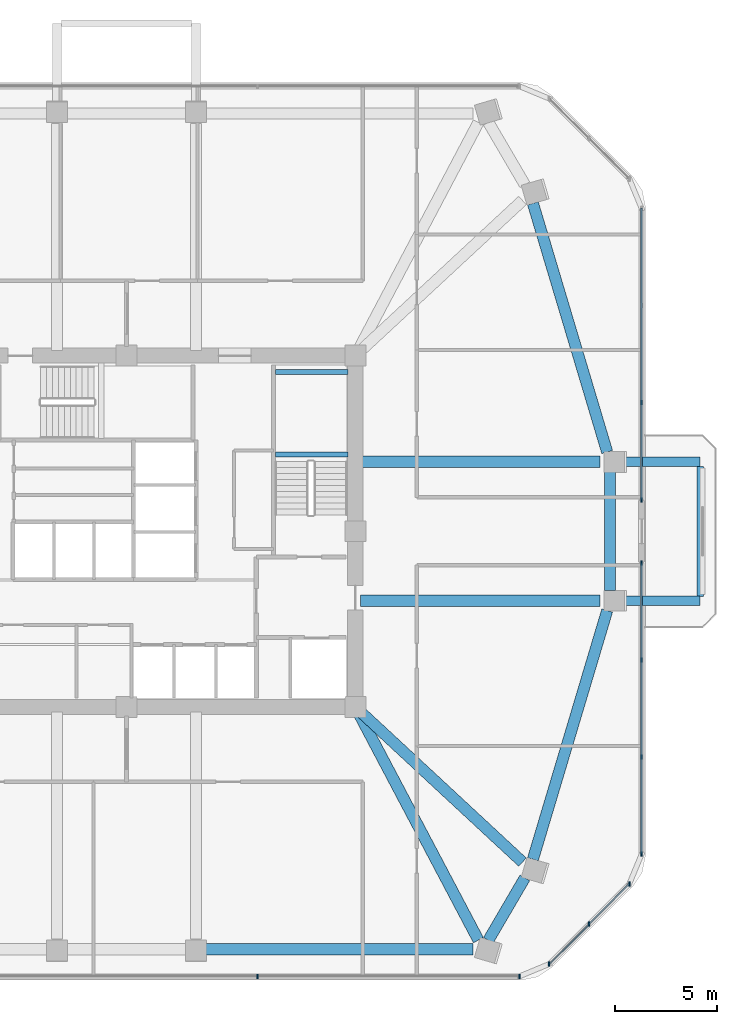
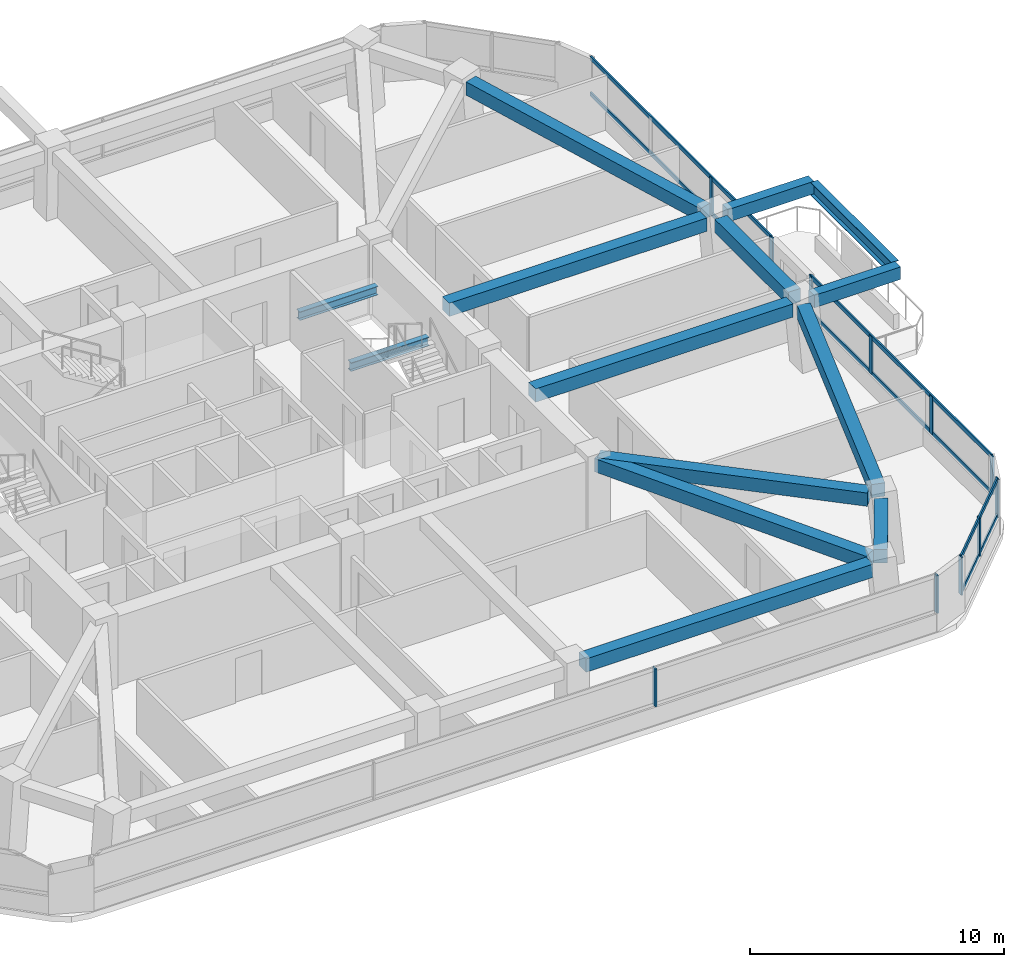
# One storey, part 5 of 14: 17 members, 14 beams, 4 elements without a shape of their own.
"""IFC4 building model written with IfcOpenShell, lengths in metres."""

from ifc_helpers import new_model, si_unit, derived_unit, direction, frame, origin, origin_2d, place, context, subcontext, project, spatial, rectangle, i_section, extrude, material, material_profile, profile_set, type_object, element, aggregate, save


model = new_model("IFC4")

# Units and contexts
model_context = context("Model", 3, precision=1e-05, world=origin(), true_north=direction((0.0, 1.0)))
body_context = subcontext(model_context, "Body", "Model", "MODEL_VIEW")
ifc_project = project(units=[si_unit("LENGTHUNIT", "METRE"), si_unit("AREAUNIT", "SQUARE_METRE"), si_unit("VOLUMEUNIT", "CUBIC_METRE"), si_unit("PLANEANGLEUNIT", "RADIAN"), si_unit("MASSUNIT", "GRAM", prefix="KILO"), derived_unit("THERMALTRANSMITTANCEUNIT", [(si_unit("POWERUNIT", "WATT"), 1), (si_unit("LENGTHUNIT", "METRE"), -2), (si_unit("THERMODYNAMICTEMPERATUREUNIT", "KELVIN"), -1)])], contexts=[model_context])

# Site, building, storey
site_placement = place(None, origin())
site = spatial("IfcSite", under=ifc_project, at=site_placement, CompositionType="ELEMENT")
building_placement = place(site_placement, origin())
building = spatial("IfcBuilding", under=site, at=building_placement, Name="Koralith Skygarden Medical Center", CompositionType="ELEMENT")
storey_placement = place(building_placement, frame((0.0, 0.0, 106.3798828125)))
storey = spatial("IfcBuildingStorey", under=building, at=storey_placement, Name="L27", CompositionType="ELEMENT", Elevation=106.3798828125)

# Curtain wall, members
ifc_material_1 = material(Name="Clear Laminated Glass", Category="glass")
curtain_wall_type = type_object("IfcCurtainWallType", Name="CW-3 Zone 2 Faceted Solar Curtain Wall", PredefinedType="NOTDEFINED", material=ifc_material_1)
curtain_wall_1_placement = place(storey_placement, origin())
curtain_wall_1 = element("IfcCurtainWall", 1, at=curtain_wall_1_placement, inside=storey, type_object=curtain_wall_type, Name="Curtain Wall CW-L27-S", PredefinedType="NOTDEFINED")
ifc_material_2 = material(Name="Aluminium 6063-T6", Category="aluminium")
ifc_material_profile_1 = material_profile(ifc_material_2, rectangle(XDim=0.073974609375, YDim=0.219970703125, at=origin_2d()), Name="MUL74X220")
ifc_profile_set_1 = profile_set([ifc_material_profile_1], Name="Aluminium 6063-T6")
member_type_1 = type_object("IfcMemberType", Name="CW-3 Extruded Mullion 74x220", PredefinedType="MULLION", material=ifc_profile_set_1)
member_1_placement = place(storey_placement, frame((43.410888671875, 4.1220703125, 0.85009765625), z_axis=(0.0, 0.0, 1.0), x_axis=(1.0, 0.0, 0.0)))
member_1 = element("IfcMember", 2, at=member_1_placement, type_object=member_type_1, Name="CW-L27-S Mullion 3", PredefinedType="MULLION", context=body_context, shape_type="SweptSolid", body=[
    extrude(rectangle(XDim=0.073974609375, YDim=0.219970703125, at=origin_2d()), origin(), (0.0, 0.0, 1.0), 1.820068359375),
])
member_2_placement = place(storey_placement, frame((56.23291015625, 4.1220703125, 0.85009765625), z_axis=(0.0, 0.0, 1.0), x_axis=(1.0, 0.0, 0.0)))
member_2 = element("IfcMember", 3, at=member_2_placement, type_object=member_type_1, Name="CW-L27-S Mullion 4", PredefinedType="MULLION", context=body_context, shape_type="SweptSolid", body=[
    extrude(rectangle(XDim=0.073974609375, YDim=0.219970703125, at=origin_2d()), origin(), (0.0, 0.0, 1.0), 1.820068359375),
])
aggregate(curtain_wall_1, [member_1, member_2])

curtain_wall_2_placement = place(storey_placement, origin())
curtain_wall_2 = element("IfcCurtainWall", 4, at=curtain_wall_2_placement, inside=storey, type_object=curtain_wall_type, Name="Curtain Wall CW-L27-SE", PredefinedType="NOTDEFINED")
member_3_placement = place(storey_placement, frame((57.68408203125, 4.72412109375, 0.85009765625), z_axis=(0.0, 0.0, 1.0), x_axis=(1.0, 0.0, 0.0)))
member_3 = element("IfcMember", 5, at=member_3_placement, type_object=member_type_1, Name="CW-L27-SE Mullion 1", PredefinedType="MULLION", context=body_context, shape_type="SweptSolid", body=[
    extrude(rectangle(XDim=0.073974609375, YDim=0.219970703125, at=origin_2d()), origin(), (0.0, 0.0, 1.0), 1.820068359375),
])
member_4_placement = place(storey_placement, frame((59.64501953125, 6.68603515625, 0.85009765625), z_axis=(0.0, 0.0, 1.0), x_axis=(1.0, 0.0, 0.0)))
member_4 = element("IfcMember", 6, at=member_4_placement, type_object=member_type_1, Name="CW-L27-SE Mullion 2", PredefinedType="MULLION", context=body_context, shape_type="SweptSolid", body=[
    extrude(rectangle(XDim=0.073974609375, YDim=0.219970703125, at=origin_2d()), origin(), (0.0, 0.0, 1.0), 1.820068359375),
])
member_5_placement = place(storey_placement, frame((61.60693359375, 8.64697265625, 0.85009765625), z_axis=(0.0, 0.0, 1.0), x_axis=(1.0, 0.0, 0.0)))
member_5 = element("IfcMember", 7, at=member_5_placement, type_object=member_type_1, Name="CW-L27-SE Mullion 3", PredefinedType="MULLION", context=body_context, shape_type="SweptSolid", body=[
    extrude(rectangle(XDim=0.073974609375, YDim=0.219970703125, at=origin_2d()), origin(), (0.0, 0.0, 1.0), 1.820068359375),
])

curtain_wall_3_placement = place(storey_placement, origin())
curtain_wall_3 = element("IfcCurtainWall", 8, at=curtain_wall_3_placement, inside=storey, type_object=curtain_wall_type, Name="Curtain Wall CW-L27-E-L", PredefinedType="NOTDEFINED")
member_6_placement = place(storey_placement, frame((62.208984375, 10.097900390625, 0.85009765625), z_axis=(0.0, 0.0, 1.0), x_axis=(1.0, 0.0, 0.0)))
member_6 = element("IfcMember", 9, at=member_6_placement, type_object=member_type_1, Name="CW-L27-E-L Mullion 1", PredefinedType="MULLION", context=body_context, shape_type="SweptSolid", body=[
    extrude(rectangle(XDim=0.073974609375, YDim=0.219970703125, at=origin_2d()), origin(), (0.0, 0.0, 1.0), 1.820068359375),
])
member_7_placement = place(storey_placement, frame((62.208984375, 14.85205078125, 0.85009765625), z_axis=(0.0, 0.0, 1.0), x_axis=(1.0, 0.0, 0.0)))
member_7 = element("IfcMember", 10, at=member_7_placement, type_object=member_type_1, Name="CW-L27-E-L Mullion 2", PredefinedType="MULLION", context=body_context, shape_type="SweptSolid", body=[
    extrude(rectangle(XDim=0.073974609375, YDim=0.219970703125, at=origin_2d()), origin(), (0.0, 0.0, 1.0), 1.820068359375),
])
member_8_placement = place(storey_placement, frame((62.208984375, 19.60595703125, 0.85009765625), z_axis=(0.0, 0.0, 1.0), x_axis=(1.0, 0.0, 0.0)))
member_8 = element("IfcMember", 11, at=member_8_placement, type_object=member_type_1, Name="CW-L27-E-L Mullion 3", PredefinedType="MULLION", context=body_context, shape_type="SweptSolid", body=[
    extrude(rectangle(XDim=0.073974609375, YDim=0.219970703125, at=origin_2d()), origin(), (0.0, 0.0, 1.0), 1.820068359375),
])
member_9_placement = place(storey_placement, frame((62.208984375, 24.360107421875, 0.85009765625), z_axis=(0.0, 0.0, 1.0), x_axis=(1.0, 0.0, 0.0)))
member_9 = element("IfcMember", 12, at=member_9_placement, type_object=member_type_1, Name="CW-L27-E-L Mullion 4", PredefinedType="MULLION", context=body_context, shape_type="SweptSolid", body=[
    extrude(rectangle(XDim=0.073974609375, YDim=0.219970703125, at=origin_2d()), origin(), (0.0, 0.0, 1.0), 1.820068359375),
])

curtain_wall_4_placement = place(storey_placement, origin())
curtain_wall_4 = element("IfcCurtainWall", 13, at=curtain_wall_4_placement, inside=storey, type_object=curtain_wall_type, Name="Curtain Wall CW-L27-E-R", PredefinedType="NOTDEFINED")
member_10_placement = place(storey_placement, frame((62.208984375, 27.43994140625, 0.85009765625), z_axis=(0.0, 0.0, 1.0), x_axis=(1.0, 0.0, 0.0)))
member_10 = element("IfcMember", 14, at=member_10_placement, type_object=member_type_1, Name="CW-L27-E-R Mullion 1", PredefinedType="MULLION", context=body_context, shape_type="SweptSolid", body=[
    extrude(rectangle(XDim=0.073974609375, YDim=0.219970703125, at=origin_2d()), origin(), (0.0, 0.0, 1.0), 1.820068359375),
])
member_11_placement = place(storey_placement, frame((62.208984375, 32.194091796875, 0.85009765625), z_axis=(0.0, 0.0, 1.0), x_axis=(1.0, 0.0, 0.0)))
member_11 = element("IfcMember", 15, at=member_11_placement, type_object=member_type_1, Name="CW-L27-E-R Mullion 2", PredefinedType="MULLION", context=body_context, shape_type="SweptSolid", body=[
    extrude(rectangle(XDim=0.073974609375, YDim=0.219970703125, at=origin_2d()), origin(), (0.0, 0.0, 1.0), 1.820068359375),
])

# Member
ifc_material_profile_2 = material_profile(ifc_material_2, rectangle(XDim=0.069091796875, YDim=0.197998046875, at=origin_2d()), Name="TRN69X198")
ifc_profile_set_2 = profile_set([ifc_material_profile_2], Name="Aluminium 6063-T6")
member_type_2 = type_object("IfcMemberType", Name="CW-3 Thermal Transom 69x198", PredefinedType="USERDEFINED", material=ifc_profile_set_2)
member_12_placement = place(storey_placement, frame((57.68408203125, 4.72412109375, 0.900146484375), z_axis=(0.707106781187, 0.707106781187, 0.0), x_axis=(-0.707106781187, 0.707106781187, 0.0)))
member_12 = element("IfcMember", 16, at=member_12_placement, type_object=member_type_2, Name="CW-L27-SE Transom 1", ObjectType="TRANSOM", PredefinedType="USERDEFINED", context=body_context, shape_type="SweptSolid", body=[
    extrude(rectangle(XDim=0.069091796875, YDim=0.197998046875, at=origin_2d()), origin(), (0.0, 0.0, 1.0), 5.5478515625),
])

member_13_placement = place(storey_placement, frame((57.68408203125, 4.72412109375, 2.6201171875), z_axis=(0.707106781187, 0.707106781187, 0.0), x_axis=(-0.707106781187, 0.707106781187, 0.0)))
member_13 = element("IfcMember", 17, at=member_13_placement, type_object=member_type_2, Name="CW-L27-SE Transom 2", ObjectType="TRANSOM", PredefinedType="USERDEFINED", context=body_context, shape_type="SweptSolid", body=[
    extrude(rectangle(XDim=0.069091796875, YDim=0.197998046875, at=origin_2d()), origin(), (0.0, 0.0, 1.0), 5.5478515625),
])

aggregate(curtain_wall_2, [member_3, member_4, member_5, member_12, member_13])

member_14_placement = place(storey_placement, frame((62.208984375, 10.097900390625, 0.900146484375), z_axis=(0.0, 1.0, 0.0), x_axis=(-1.0, 0.0, 0.0)))
member_14 = element("IfcMember", 18, at=member_14_placement, type_object=member_type_2, Name="CW-L27-E-L Transom 1", ObjectType="TRANSOM", PredefinedType="USERDEFINED", context=body_context, shape_type="SweptSolid", body=[
    extrude(rectangle(XDim=0.069091796875, YDim=0.197998046875, at=origin_2d()), origin(), (0.0, 0.0, 1.0), 14.26220703125),
])

member_15_placement = place(storey_placement, frame((62.208984375, 10.097900390625, 2.6201171875), z_axis=(0.0, 1.0, 0.0), x_axis=(-1.0, 0.0, 0.0)))
member_15 = element("IfcMember", 19, at=member_15_placement, type_object=member_type_2, Name="CW-L27-E-L Transom 2", ObjectType="TRANSOM", PredefinedType="USERDEFINED", context=body_context, shape_type="SweptSolid", body=[
    extrude(rectangle(XDim=0.069091796875, YDim=0.197998046875, at=origin_2d()), origin(), (0.0, 0.0, 1.0), 14.26220703125),
])

aggregate(curtain_wall_3, [member_6, member_7, member_8, member_9, member_14, member_15])

member_16_placement = place(storey_placement, frame((62.208984375, 27.43994140625, 0.900146484375), z_axis=(0.0, 1.0, 0.0), x_axis=(-1.0, 0.0, 0.0)))
member_16 = element("IfcMember", 20, at=member_16_placement, type_object=member_type_2, Name="CW-L27-E-R Transom 1", ObjectType="TRANSOM", PredefinedType="USERDEFINED", context=body_context, shape_type="SweptSolid", body=[
    extrude(rectangle(XDim=0.069091796875, YDim=0.197998046875, at=origin_2d()), origin(), (0.0, 0.0, 1.0), 14.261962890625),
])

member_17_placement = place(storey_placement, frame((62.208984375, 27.43994140625, 2.6201171875), z_axis=(0.0, 1.0, 0.0), x_axis=(-1.0, 0.0, 0.0)))
member_17 = element("IfcMember", 21, at=member_17_placement, type_object=member_type_2, Name="CW-L27-E-R Transom 2", ObjectType="TRANSOM", PredefinedType="USERDEFINED", context=body_context, shape_type="SweptSolid", body=[
    extrude(rectangle(XDim=0.069091796875, YDim=0.197998046875, at=origin_2d()), origin(), (0.0, 0.0, 1.0), 14.261962890625),
])

aggregate(curtain_wall_4, [member_10, member_11, member_16, member_17])

# Beams
ifc_material_3 = material(Name="Steel ASTM A992 Grade 50", Category="steel")
ifc_material_profile_3 = material_profile(ifc_material_3, i_section(OverallWidth=0.326904296875, OverallDepth=0.6220703125, WebThickness=0.015380859375, FlangeThickness=0.0244140625, at=origin_2d()), Name="W24X131")
ifc_profile_set_3 = profile_set([ifc_material_profile_3], Name="Steel ASTM A992 Grade 50")
beam_type_1 = type_object("IfcBeamType", Name="Cantilever Tie Beam W24X131", PredefinedType="BEAM", material=ifc_profile_set_3)
beam_1_placement = place(storey_placement, frame((65.075927734375, 22.719970703125, 3.029052734375), z_axis=(0.0, 1.0, 0.0), x_axis=(-1.0, 0.0, 0.0)))
element("IfcBeam", 22, at=beam_1_placement, inside=storey, type_object=beam_type_1, Name="L28 E Balcony Tip Tie Beam", PredefinedType="BEAM", context=body_context, shape_type="SweptSolid", body=[
    extrude(i_section(OverallWidth=0.326904296875, OverallDepth=0.6220703125, WebThickness=0.015380859375, FlangeThickness=0.0244140625, at=origin_2d()), origin(), (0.0, 0.0, 1.0), 6.360107421875),
])
ifc_material_profile_4 = material_profile(ifc_material_3, i_section(OverallWidth=0.260009765625, OverallDepth=0.4150390625, WebThickness=0.010009765625, FlangeThickness=0.016845703125, at=origin_2d()), Name="W16X67")
ifc_profile_set_4 = profile_set([ifc_material_profile_4], Name="Steel ASTM A992 Grade 50")
beam_type_2 = type_object("IfcBeamType", Name="Clinical Floor Joist W16X67", PredefinedType="JOIST", material=ifc_profile_set_4)
for number, where, z_axis, x_axis, name in (
    (23, (44.280029296875, 29.659912109375, 1.39306640625), (1.0, 0.0, 0.0), (0.0, 1.0, 0.0), "L27 Stair ST2 Half-Landing Support Beam 1A"),
    (24, (44.280029296875, 33.699951171875, 1.39306640625), (1.0, 0.0, 0.0), (0.0, 1.0, 0.0), "L27 Stair ST2 Half-Landing Support Beam 1B"),
):
    element("IfcBeam", number, at=place(storey_placement, frame(where, z_axis=z_axis, x_axis=x_axis)), inside=storey, type_object=beam_type_2, Name=name, PredefinedType="JOIST", context=body_context, shape_type="SweptSolid", body=[
        extrude(i_section(OverallWidth=0.260009765625, OverallDepth=0.4150390625, WebThickness=0.010009765625, FlangeThickness=0.016845703125, at=origin_2d()), origin(), (0.0, 0.0, 1.0), 3.56494140625),
    ])
ifc_material_4 = material(Name="Concrete C45/55", Category="concrete")
ifc_material_profile_5 = material_profile(ifc_material_4, rectangle(XDim=0.449951171875, YDim=0.60009765625, at=origin_2d()), Name="RCB450X600")
ifc_profile_set_5 = profile_set([ifc_material_profile_5], Name="Concrete C45/55")
beam_type_3 = type_object("IfcBeamType", Name="Planted Balcony Cantilever Beam RCB450X600", PredefinedType="BEAM", material=ifc_profile_set_5)
for number, where, z_axis, x_axis, name in (
    (25, (61.156005859375, 22.5, 3.0400390625), (1.0, 0.0, 0.0), (0.0, 1.0, 0.0), "L28 E Balcony Cantilever Beam A"),
    (26, (61.156005859375, 29.300048828125, 3.0400390625), (1.0, 0.0, 0.0), (0.0, 1.0, 0.0), "L28 E Balcony Cantilever Beam B"),
):
    element("IfcBeam", number, at=place(storey_placement, frame(where, z_axis=z_axis, x_axis=x_axis)), inside=storey, type_object=beam_type_3, Name=name, PredefinedType="BEAM", context=body_context, shape_type="SweptSolid", body=[
        extrude(rectangle(XDim=0.449951171875, YDim=0.60009765625, at=origin_2d()), origin(), (0.0, 0.0, 1.0), 3.919921875),
    ])
ifc_material_profile_6 = material_profile(ifc_material_4, rectangle(XDim=0.550048828125, YDim=0.639892578125, at=origin_2d()), Name="RCB550X640")
ifc_profile_set_6 = profile_set([ifc_material_profile_6], Name="Concrete C45/55")
beam_type_4 = type_object("IfcBeamType", Name="Radial Collector Beam RCB550X640", PredefinedType="BEAM", material=ifc_profile_set_6)
beam_2_placement = place(storey_placement, frame((48.31689453125, 17.0791015625, 3.0), z_axis=(0.466777909701, -0.884374571669, 0.0), x_axis=(0.884374571669, 0.466777909701, 0.0)))
element("IfcBeam", 27, at=beam_2_placement, inside=storey, type_object=beam_type_4, Name="L27 Radial Collector Beam RB-06", PredefinedType="BEAM", context=body_context, shape_type="SweptSolid", body=[
    extrude(rectangle(XDim=0.550048828125, YDim=0.639892578125, at=origin_2d()), origin(), (0.0, 0.0, 1.0), 12.6484375),
])
beam_3_placement = place(storey_placement, frame((48.383056640625, 17.1298828125, 3.0), z_axis=(0.733057307638, -0.680166879316, 0.0), x_axis=(0.680166879316, 0.733057307638, 0.0)))
element("IfcBeam", 28, at=beam_3_placement, inside=storey, type_object=beam_type_4, Name="L27 Radial Collector Beam RB-07", PredefinedType="BEAM", context=body_context, shape_type="SweptSolid", body=[
    extrude(rectangle(XDim=0.550048828125, YDim=0.639892578125, at=origin_2d()), origin(), (0.0, 0.0, 1.0), 10.907470703125),
])
for number, where, z_axis, x_axis, name in (
    (29, (48.449951171875, 22.5, 3.0), (1.0, 0.0, 0.0), (0.0, 1.0, 0.0), "L27 Radial Collector Beam RB-08"),
    (30, (48.449951171875, 29.300048828125, 3.0), (1.0, 0.0, 0.0), (0.0, 1.0, 0.0), "L27 Radial Collector Beam RB-09"),
):
    element("IfcBeam", number, at=place(storey_placement, frame(where, z_axis=z_axis, x_axis=x_axis)), inside=storey, type_object=beam_type_4, Name=name, PredefinedType="BEAM", context=body_context, shape_type="SweptSolid", body=[
        extrude(rectangle(XDim=0.550048828125, YDim=0.639892578125, at=origin_2d()), origin(), (0.0, 0.0, 1.0), 11.716064453125),
    ])
ifc_material_profile_7 = material_profile(ifc_material_4, rectangle(XDim=0.550048828125, YDim=0.639892578125, at=origin_2d()), Name="RCB550X640")
ifc_profile_set_7 = profile_set([ifc_material_profile_7], Name="Concrete C45/55")
beam_type_5 = type_object("IfcBeamType", Name="Zone 2-3 Spandrel Beam RCB550X640", PredefinedType="SPANDREL", material=ifc_profile_set_7)
beam_4_placement = place(storey_placement, frame((40.89990234375, 5.450927734375, 3.0), z_axis=(1.0, 0.0, 0.0), x_axis=(0.0, 1.0, 0.0)))
element("IfcBeam", 31, at=beam_4_placement, inside=storey, type_object=beam_type_5, Name="L27 Perimeter Spandrel Beam SP-05", PredefinedType="SPANDREL", context=body_context, shape_type="SweptSolid", body=[
    extrude(rectangle(XDim=0.550048828125, YDim=0.639892578125, at=origin_2d()), origin(), (0.0, 0.0, 1.0), 13.05419921875),
])
beam_5_placement = place(storey_placement, frame((54.7060546875, 5.883056640625, 3.0), z_axis=(0.504972499237, 0.863135432603, 0.0), x_axis=(-0.863135432603, 0.504972499237, 0.0)))
element("IfcBeam", 32, at=beam_5_placement, inside=storey, type_object=beam_type_5, Name="L27 Perimeter Spandrel Beam SP-06", PredefinedType="SPANDREL", context=body_context, shape_type="SweptSolid", body=[
    extrude(rectangle(XDim=0.550048828125, YDim=0.639892578125, at=origin_2d()), origin(), (0.0, 0.0, 1.0), 3.54052734375),
])
beam_6_placement = place(storey_placement, frame((56.888916015625, 9.85009765625, 3.0), z_axis=(0.286102694558, 0.958198960638, 0.0), x_axis=(-0.958198960638, 0.286102694558, 0.0)))
element("IfcBeam", 33, at=beam_6_placement, inside=storey, type_object=beam_type_5, Name="L27 Perimeter Spandrel Beam SP-07", PredefinedType="SPANDREL", context=body_context, shape_type="SweptSolid", body=[
    extrude(rectangle(XDim=0.550048828125, YDim=0.639892578125, at=origin_2d()), origin(), (0.0, 0.0, 1.0), 12.701904296875),
])
beam_7_placement = place(storey_placement, frame((60.666015625, 23.0, 3.0), z_axis=(0.0, 1.0, 0.0), x_axis=(-1.0, 0.0, 0.0)))
element("IfcBeam", 34, at=beam_7_placement, inside=storey, type_object=beam_type_5, Name="L27 Perimeter Spandrel Beam SP-08", PredefinedType="SPANDREL", context=body_context, shape_type="SweptSolid", body=[
    extrude(rectangle(XDim=0.550048828125, YDim=0.639892578125, at=origin_2d()), origin(), (0.0, 0.0, 1.0), 5.800048828125),
])
beam_8_placement = place(storey_placement, frame((60.52294921875, 29.779052734375, 3.0), z_axis=(-0.286102694558, 0.958198960638, 0.0), x_axis=(-0.958198960638, -0.286102694558, 0.0)))
element("IfcBeam", 35, at=beam_8_placement, inside=storey, type_object=beam_type_5, Name="L27 Perimeter Spandrel Beam SP-09", PredefinedType="SPANDREL", context=body_context, shape_type="SweptSolid", body=[
    extrude(rectangle(XDim=0.550048828125, YDim=0.639892578125, at=origin_2d()), origin(), (0.0, 0.0, 1.0), 12.701904296875),
])

save(model, "model.ifc")
